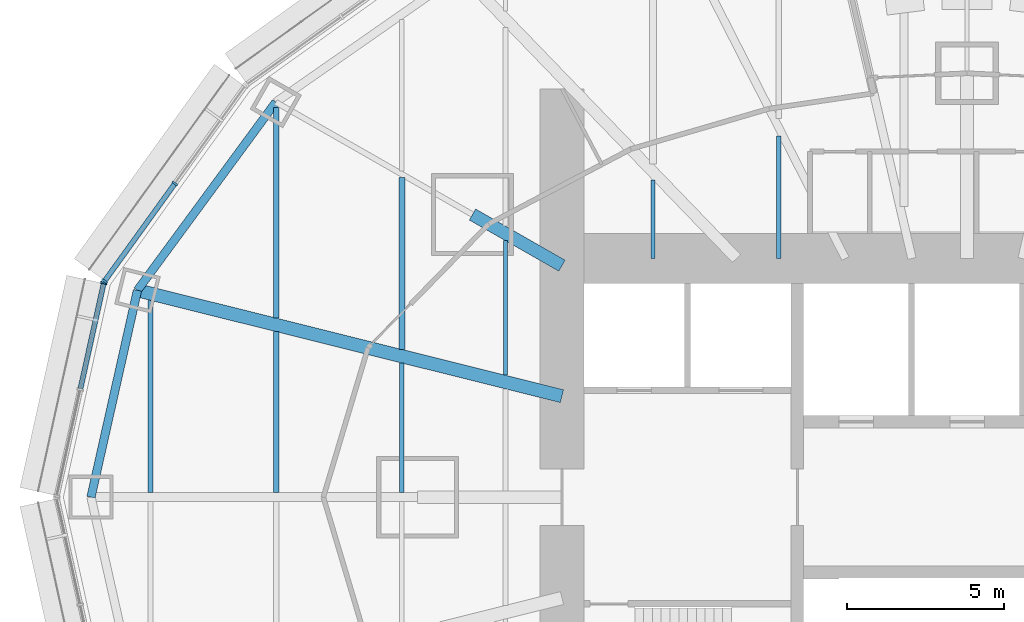
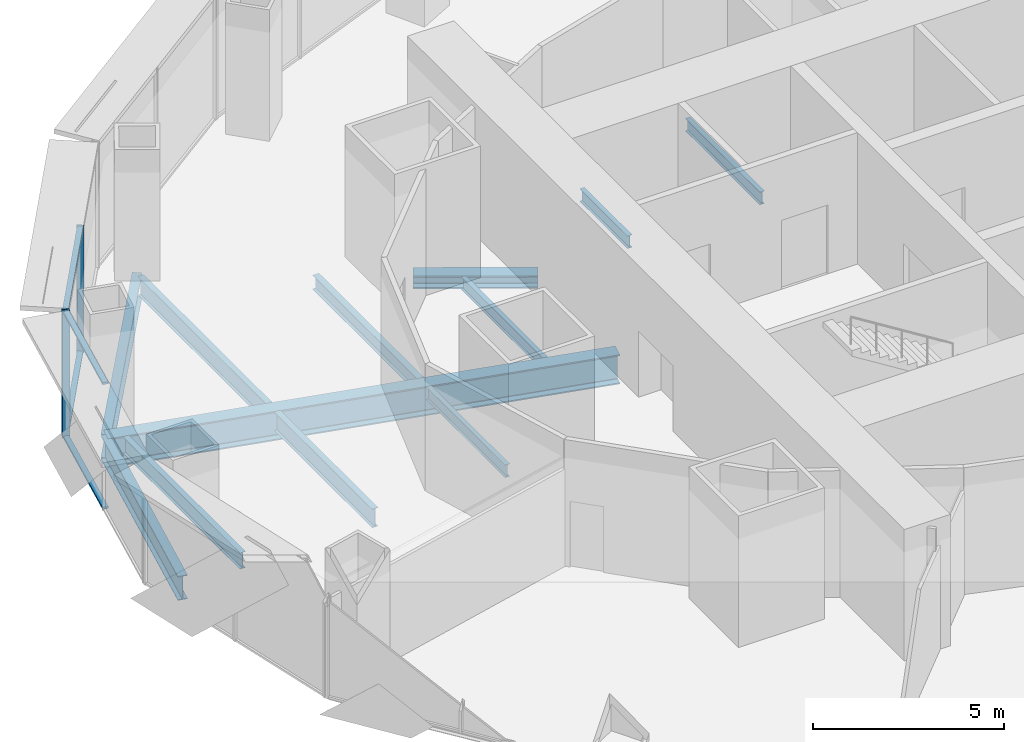
# One storey, part 4 of 17: 12 beams, 7 members, 2 elements without a shape of their own.
"""IFC4 building model written with IfcOpenShell, lengths in metres."""

from ifc_helpers import new_model, si_unit, direction, frame, origin, origin_2d, place, context, subcontext, project, spatial, rectangle, i_section, extrude, material, material_profile, profile_set, type_object, element, aggregate, save


model = new_model("IFC4")

# Units and contexts
model_context = context("Model", 3, precision=1e-05, world=origin(), true_north=direction((0.0, 1.0)))
body_context = subcontext(model_context, "Body", "Model", "MODEL_VIEW")
ifc_project = project(units=[si_unit("LENGTHUNIT", "METRE"), si_unit("AREAUNIT", "SQUARE_METRE"), si_unit("VOLUMEUNIT", "CUBIC_METRE"), si_unit("PLANEANGLEUNIT", "RADIAN"), si_unit("MASSUNIT", "GRAM", prefix="KILO")], contexts=[model_context])

# Site, building, storey
site_placement = place(None, origin())
site = spatial("IfcSite", under=ifc_project, at=site_placement, CompositionType="ELEMENT")
building_placement = place(site_placement, origin())
building = spatial("IfcBuilding", under=site, at=building_placement, Name="Lantaw Convention Tower", CompositionType="ELEMENT")
storey_placement = place(building_placement, frame((0.0, 0.0, 151.0)))
storey = spatial("IfcBuildingStorey", under=building, at=storey_placement, Name="L35", CompositionType="ELEMENT", Elevation=151.0)

# Beams
ifc_material_1 = material(Name="Steel ASTM A992", Category="steel")
ifc_material_profile_1 = material_profile(ifc_material_1, i_section(OverallWidth=0.2666015625, OverallDepth=0.76953125, WebThickness=0.015625, FlangeThickness=0.025390625, FilletRadius=0.0126953125, at=origin_2d()), Name="W30X132")
ifc_profile_set_1 = profile_set([ifc_material_profile_1], Name="Steel ASTM A992")
beam_type_1 = type_object("IfcBeamType", Name="Beam E W30X132", PredefinedType="SPANDREL", material=ifc_profile_set_1)
beam_1_placement = place(storey_placement, frame((-22.013916015625, 12.579345703125, -0.534912109375), z_axis=(-0.5923891972, -0.805651934176, 0.0), x_axis=(0.805651934176, -0.5923891972, 0.0)))
element("IfcBeam", 1, at=beam_1_placement, inside=storey, type_object=beam_type_1, Name="Edge beam 11", PredefinedType="SPANDREL", context=body_context, shape_type="SweptSolid", body=[
    extrude(i_section(OverallWidth=0.2666015625, OverallDepth=0.76953125, WebThickness=0.015625, FlangeThickness=0.025390625, FilletRadius=0.0126953125, at=origin_2d()), origin(), (0.0, 0.0, 1.0), 7.437744140625),
])
beam_2_placement = place(storey_placement, frame((-26.419921875, 6.587158203125, -0.534912109375), z_axis=(-0.219211877447, -0.975677279015, 0.0), x_axis=(0.975677279015, -0.219211877447, 0.0)))
element("IfcBeam", 2, at=beam_2_placement, inside=storey, type_object=beam_type_1, Name="Edge beam 12", PredefinedType="SPANDREL", context=body_context, shape_type="SweptSolid", body=[
    extrude(i_section(OverallWidth=0.2666015625, OverallDepth=0.76953125, WebThickness=0.015625, FlangeThickness=0.025390625, FilletRadius=0.0126953125, at=origin_2d()), origin(), (0.0, 0.0, 1.0), 6.75146484375),
])
ifc_material_profile_2 = material_profile(ifc_material_1, i_section(OverallWidth=0.421630859375, OverallDepth=0.937255859375, WebThickness=0.0224609375, FlangeThickness=0.039794921875, FilletRadius=0.02001953125, at=origin_2d()), Name="W36X282")
ifc_profile_set_2 = profile_set([ifc_material_profile_2], Name="Steel ASTM A992")
beam_type_2 = type_object("IfcBeamType", Name="Beam G W36X282", PredefinedType="BEAM", material=ifc_profile_set_2)
beam_3_placement = place(storey_placement, frame((-12.89990234375, 3.21630859375, -0.61865234375), z_axis=(-0.970296903132, 0.24191717544, 0.0), x_axis=(-0.24191717544, -0.970296903132, 0.0)))
element("IfcBeam", 3, at=beam_3_placement, inside=storey, type_object=beam_type_2, Name="Floor girder on ray 12", PredefinedType="BEAM", context=body_context, shape_type="SweptSolid", body=[
    extrude(i_section(OverallWidth=0.421630859375, OverallDepth=0.937255859375, WebThickness=0.0224609375, FlangeThickness=0.039794921875, FilletRadius=0.02001953125, at=origin_2d()), origin(), (0.0, 0.0, 1.0), 13.933837890625),
])
ifc_material_profile_3 = material_profile(ifc_material_1, i_section(OverallWidth=0.40380859375, OverallDepth=0.406494140625, WebThickness=0.027099609375, FlangeThickness=0.043701171875, FilletRadius=0.01513671875, at=origin_2d()), Name="W14X233")
ifc_profile_set_3 = profile_set([ifc_material_profile_3], Name="Steel ASTM A992")
beam_type_3 = type_object("IfcBeamType", Name="Beam GM W14X233", PredefinedType="BEAM", material=ifc_profile_set_3)
beam_4_placement = place(storey_placement, frame((-12.89990234375, 7.371337890625, -0.353271484375), z_axis=(-0.868238565244, 0.496146947811, 0.0), x_axis=(-0.496146947811, -0.868238565244, 0.0)))
element("IfcBeam", 4, at=beam_4_placement, inside=storey, type_object=beam_type_3, Name="Core link beam on ray 11", PredefinedType="BEAM", context=body_context, shape_type="SweptSolid", body=[
    extrude(i_section(OverallWidth=0.40380859375, OverallDepth=0.406494140625, WebThickness=0.027099609375, FlangeThickness=0.043701171875, FilletRadius=0.01513671875, at=origin_2d()), origin(), (0.0, 0.0, 1.0), 3.28271484375),
])
ifc_material_profile_4 = material_profile(ifc_material_1, i_section(OverallWidth=0.140380859375, OverallDepth=0.40380859375, WebThickness=0.007080078125, FlangeThickness=0.01123046875, FilletRadius=0.01025390625, at=origin_2d()), Name="W16X31")
ifc_profile_set_4 = profile_set([ifc_material_profile_4], Name="Steel ASTM A992")
beam_type_4 = type_object("IfcBeamType", Name="Beam J W16X31", PredefinedType="JOIST", material=ifc_profile_set_4)
beam_5_placement = place(storey_placement, frame((-18.0, 0.14599609375, -0.35205078125), z_axis=(0.0, 1.0, 0.0), x_axis=(-1.0, 0.0, 0.0)))
element("IfcBeam", 5, at=beam_5_placement, inside=storey, type_object=beam_type_4, Name="Floor joist", PredefinedType="JOIST", context=body_context, shape_type="SweptSolid", body=[
    extrude(i_section(OverallWidth=0.140380859375, OverallDepth=0.40380859375, WebThickness=0.007080078125, FlangeThickness=0.01123046875, FilletRadius=0.01025390625, at=origin_2d()), origin(), (0.0, 0.0, 1.0), 4.124755859375),
])
beam_6_placement = place(storey_placement, frame((-14.699951171875, 3.88232421875, -0.35205078125), z_axis=(0.0, 1.0, 0.0), x_axis=(-1.0, 0.0, 0.0)))
element("IfcBeam", 6, at=beam_6_placement, inside=storey, type_object=beam_type_4, Name="Floor joist", PredefinedType="JOIST", context=body_context, shape_type="SweptSolid", body=[
    extrude(i_section(OverallWidth=0.140380859375, OverallDepth=0.40380859375, WebThickness=0.007080078125, FlangeThickness=0.01123046875, FilletRadius=0.01025390625, at=origin_2d()), origin(), (0.0, 0.0, 1.0), 4.28515625),
])
beam_7_placement = place(storey_placement, frame((-10.0, 7.60009765625, -0.35205078125), z_axis=(0.0, 1.0, 0.0), x_axis=(-1.0, 0.0, 0.0)))
element("IfcBeam", 7, at=beam_7_placement, inside=storey, type_object=beam_type_4, Name="Floor joist", PredefinedType="JOIST", context=body_context, shape_type="SweptSolid", body=[
    extrude(i_section(OverallWidth=0.140380859375, OverallDepth=0.40380859375, WebThickness=0.007080078125, FlangeThickness=0.01123046875, FilletRadius=0.01025390625, at=origin_2d()), origin(), (0.0, 0.0, 1.0), 2.49560546875),
])
beam_8_placement = place(storey_placement, frame((-6.0, 7.60009765625, -0.35205078125), z_axis=(0.0, 1.0, 0.0), x_axis=(-1.0, 0.0, 0.0)))
element("IfcBeam", 8, at=beam_8_placement, inside=storey, type_object=beam_type_4, Name="Floor joist", PredefinedType="JOIST", context=body_context, shape_type="SweptSolid", body=[
    extrude(i_section(OverallWidth=0.140380859375, OverallDepth=0.40380859375, WebThickness=0.007080078125, FlangeThickness=0.01123046875, FilletRadius=0.01025390625, at=origin_2d()), origin(), (0.0, 0.0, 1.0), 3.895751953125),
])
ifc_material_profile_5 = material_profile(ifc_material_1, i_section(OverallWidth=0.1904296875, OverallDepth=0.457275390625, WebThickness=0.009033203125, FlangeThickness=0.014404296875, FilletRadius=0.01025390625, at=origin_2d()), Name="W18X50")
ifc_profile_set_5 = profile_set([ifc_material_profile_5], Name="Steel ASTM A992")
beam_type_5 = type_object("IfcBeamType", Name="Beam J W18X50", PredefinedType="JOIST", material=ifc_profile_set_5)
beam_9_placement = place(storey_placement, frame((-18.0, 4.705078125, -0.378662109375), z_axis=(0.0, 1.0, 0.0), x_axis=(-1.0, 0.0, 0.0)))
element("IfcBeam", 9, at=beam_9_placement, inside=storey, type_object=beam_type_5, Name="Floor joist", PredefinedType="JOIST", context=body_context, shape_type="SweptSolid", body=[
    extrude(i_section(OverallWidth=0.1904296875, OverallDepth=0.457275390625, WebThickness=0.009033203125, FlangeThickness=0.014404296875, FilletRadius=0.01025390625, at=origin_2d()), origin(), (0.0, 0.0, 1.0), 5.47802734375),
])
ifc_material_profile_6 = material_profile(ifc_material_1, i_section(OverallWidth=0.1650390625, OverallDepth=0.52587890625, WebThickness=0.0087890625, FlangeThickness=0.011474609375, FilletRadius=0.0126953125, at=origin_2d()), Name="W21X44")
ifc_profile_set_6 = profile_set([ifc_material_profile_6], Name="Steel ASTM A992")
beam_type_6 = type_object("IfcBeamType", Name="Beam J W21X44", PredefinedType="JOIST", material=ifc_profile_set_6)
beam_10_placement = place(storey_placement, frame((-26.0, 0.14599609375, -0.412841796875), z_axis=(0.0, 1.0, 0.0), x_axis=(-1.0, 0.0, 0.0)))
element("IfcBeam", 10, at=beam_10_placement, inside=storey, type_object=beam_type_6, Name="Floor joist", PredefinedType="JOIST", context=body_context, shape_type="SweptSolid", body=[
    extrude(i_section(OverallWidth=0.1650390625, OverallDepth=0.52587890625, WebThickness=0.0087890625, FlangeThickness=0.011474609375, FilletRadius=0.0126953125, at=origin_2d()), origin(), (0.0, 0.0, 1.0), 6.119140625),
])
ifc_material_profile_7 = material_profile(ifc_material_1, i_section(OverallWidth=0.177978515625, OverallDepth=0.599365234375, WebThickness=0.010009765625, FlangeThickness=0.012939453125, FilletRadius=0.012939453125, at=origin_2d()), Name="W24X55")
ifc_profile_set_7 = profile_set([ifc_material_profile_7], Name="Steel ASTM A992")
beam_type_7 = type_object("IfcBeamType", Name="Beam J W24X55", PredefinedType="JOIST", material=ifc_profile_set_7)
beam_11_placement = place(storey_placement, frame((-22.0, 0.14599609375, -0.44970703125), z_axis=(0.0, 1.0, 0.0), x_axis=(-1.0, 0.0, 0.0)))
element("IfcBeam", 11, at=beam_11_placement, inside=storey, type_object=beam_type_7, Name="Floor joist", PredefinedType="JOIST", context=body_context, shape_type="SweptSolid", body=[
    extrude(i_section(OverallWidth=0.177978515625, OverallDepth=0.599365234375, WebThickness=0.010009765625, FlangeThickness=0.012939453125, FilletRadius=0.012939453125, at=origin_2d()), origin(), (0.0, 0.0, 1.0), 5.121826171875),
])
beam_12_placement = place(storey_placement, frame((-22.0, 5.702392578125, -0.44970703125), z_axis=(0.0, 1.0, 0.0), x_axis=(-1.0, 0.0, 0.0)))
element("IfcBeam", 12, at=beam_12_placement, inside=storey, type_object=beam_type_7, Name="Floor joist", PredefinedType="JOIST", context=body_context, shape_type="SweptSolid", body=[
    extrude(i_section(OverallWidth=0.177978515625, OverallDepth=0.599365234375, WebThickness=0.010009765625, FlangeThickness=0.012939453125, FilletRadius=0.012939453125, at=origin_2d()), origin(), (0.0, 0.0, 1.0), 6.70654296875),
])

# Curtain wall, members
ifc_material_2 = material(Name="Aluminium framed curtain wall", Category="aluminium")
curtain_wall_type = type_object("IfcCurtainWallType", Name="Office curtain wall low rise, pale aluminium", PredefinedType="USERDEFINED", material=ifc_material_2)
curtain_wall_1_placement = place(storey_placement, origin())
curtain_wall_1 = element("IfcCurtainWall", 13, at=curtain_wall_1_placement, inside=storey, type_object=curtain_wall_type, Name="Office curtain wall low rise, pale aluminium L35", ObjectType="UNITISED CURTAIN WALL", PredefinedType="USERDEFINED")
ifc_material_3 = material(Name="Aluminium 6063-T6", Category="aluminium")
ifc_material_profile_8 = material_profile(ifc_material_3, rectangle(XDim=0.199951171875, YDim=0.06494140625, at=origin_2d()), Name="CW-O1 mullion 65x200")
ifc_profile_set_8 = profile_set([ifc_material_profile_8], Name="Aluminium 6063-T6")
member_type_1 = type_object("IfcMemberType", Name="CW-O1 mullion 65x200", PredefinedType="MULLION", material=ifc_profile_set_8)
member_1_placement = place(storey_placement, frame((-25.22802734375, 9.9892578125, 0.0), z_axis=(0.0, 0.0, 1.0), x_axis=(0.811384633629, -0.584512597221, 0.0)))
member_1 = element("IfcMember", 14, at=member_1_placement, type_object=member_type_1, Name="CW-O1 mullion 2", PredefinedType="MULLION", context=body_context, shape_type="SweptSolid", body=[
    extrude(rectangle(XDim=0.199951171875, YDim=0.06494140625, at=origin_2d()), origin(), (0.0, 0.0, 1.0), 4.050048828125),
])
member_2_placement = place(storey_placement, frame((-27.46826171875, 6.879638671875, 0.0), z_axis=(0.0, 0.0, 1.0), x_axis=(0.811384633629, -0.584512597221, 0.0)))
member_2 = element("IfcMember", 15, at=member_2_placement, type_object=member_type_1, Name="CW-O1 mullion 3", PredefinedType="MULLION", context=body_context, shape_type="SweptSolid", body=[
    extrude(rectangle(XDim=0.199951171875, YDim=0.06494140625, at=origin_2d()), origin(), (0.0, 0.0, 1.0), 4.050048828125),
])

# Curtain wall, member
curtain_wall_2_placement = place(storey_placement, origin())
curtain_wall_2 = element("IfcCurtainWall", 16, at=curtain_wall_2_placement, inside=storey, type_object=curtain_wall_type, Name="Office curtain wall low rise, pale aluminium L35", ObjectType="UNITISED CURTAIN WALL", PredefinedType="USERDEFINED")
member_3_placement = place(storey_placement, frame((-27.494140625, 6.821533203125, 0.0), z_axis=(0.0, 0.0, 1.0), x_axis=(0.9764936509, -0.215546166174, 0.0)))
member_3 = element("IfcMember", 17, at=member_3_placement, type_object=member_type_1, Name="CW-O1 mullion 1", PredefinedType="MULLION", context=body_context, shape_type="SweptSolid", body=[
    extrude(rectangle(XDim=0.199951171875, YDim=0.06494140625, at=origin_2d()), origin(), (0.0, 0.0, 1.0), 4.050048828125),
])

# Member
ifc_material_profile_9 = material_profile(ifc_material_3, rectangle(XDim=0.159912109375, YDim=0.06494140625, at=origin_2d()), Name="CW-O1 transom 65x160")
ifc_profile_set_9 = profile_set([ifc_material_profile_9], Name="Aluminium 6063-T6")
member_type_2 = type_object("IfcMemberType", Name="CW-O1 transom 65x160", PredefinedType="USERDEFINED", material=ifc_profile_set_9)
member_4_placement = place(storey_placement, frame((-25.2470703125, 9.962890625, 0.032470703125), z_axis=(-0.584512973979, -0.811384362217, 0.0), x_axis=(0.811384362217, -0.584512973979, 0.0)))
member_4 = element("IfcMember", 18, at=member_4_placement, type_object=member_type_2, Name="CW-O1 transom 2.1", ObjectType="TRANSOM", PredefinedType="USERDEFINED", context=body_context, shape_type="SweptSolid", body=[
    extrude(rectangle(XDim=0.159912109375, YDim=0.06494140625, at=origin_2d()), origin(), (0.0, 0.0, 1.0), 3.767578125),
])

member_5_placement = place(storey_placement, frame((-25.2470703125, 9.962890625, 4.017578125), z_axis=(-0.584512973979, -0.811384362217, 0.0), x_axis=(0.811384362217, -0.584512973979, 0.0)))
member_5 = element("IfcMember", 19, at=member_5_placement, type_object=member_type_2, Name="CW-O1 transom 2.2", ObjectType="TRANSOM", PredefinedType="USERDEFINED", context=body_context, shape_type="SweptSolid", body=[
    extrude(rectangle(XDim=0.159912109375, YDim=0.06494140625, at=origin_2d()), origin(), (0.0, 0.0, 1.0), 3.767578125),
])

aggregate(curtain_wall_1, [member_1, member_2, member_4, member_5])

member_6_placement = place(storey_placement, frame((-27.501220703125, 6.789794921875, 0.032470703125), z_axis=(-0.21555115847, -0.976492548913, 0.0), x_axis=(0.976492548913, -0.21555115847, 0.0)))
member_6 = element("IfcMember", 20, at=member_6_placement, type_object=member_type_2, Name="CW-O1 transom 1.1", ObjectType="TRANSOM", PredefinedType="USERDEFINED", context=body_context, shape_type="SweptSolid", body=[
    extrude(rectangle(XDim=0.159912109375, YDim=0.06494140625, at=origin_2d()), origin(), (0.0, 0.0, 1.0), 3.411376953125),
])

member_7_placement = place(storey_placement, frame((-27.501220703125, 6.789794921875, 4.017578125), z_axis=(-0.21555115847, -0.976492548913, 0.0), x_axis=(0.976492548913, -0.21555115847, 0.0)))
member_7 = element("IfcMember", 21, at=member_7_placement, type_object=member_type_2, Name="CW-O1 transom 1.2", ObjectType="TRANSOM", PredefinedType="USERDEFINED", context=body_context, shape_type="SweptSolid", body=[
    extrude(rectangle(XDim=0.159912109375, YDim=0.06494140625, at=origin_2d()), origin(), (0.0, 0.0, 1.0), 3.411376953125),
])

aggregate(curtain_wall_2, [member_3, member_6, member_7])

save(model, "model.ifc")
